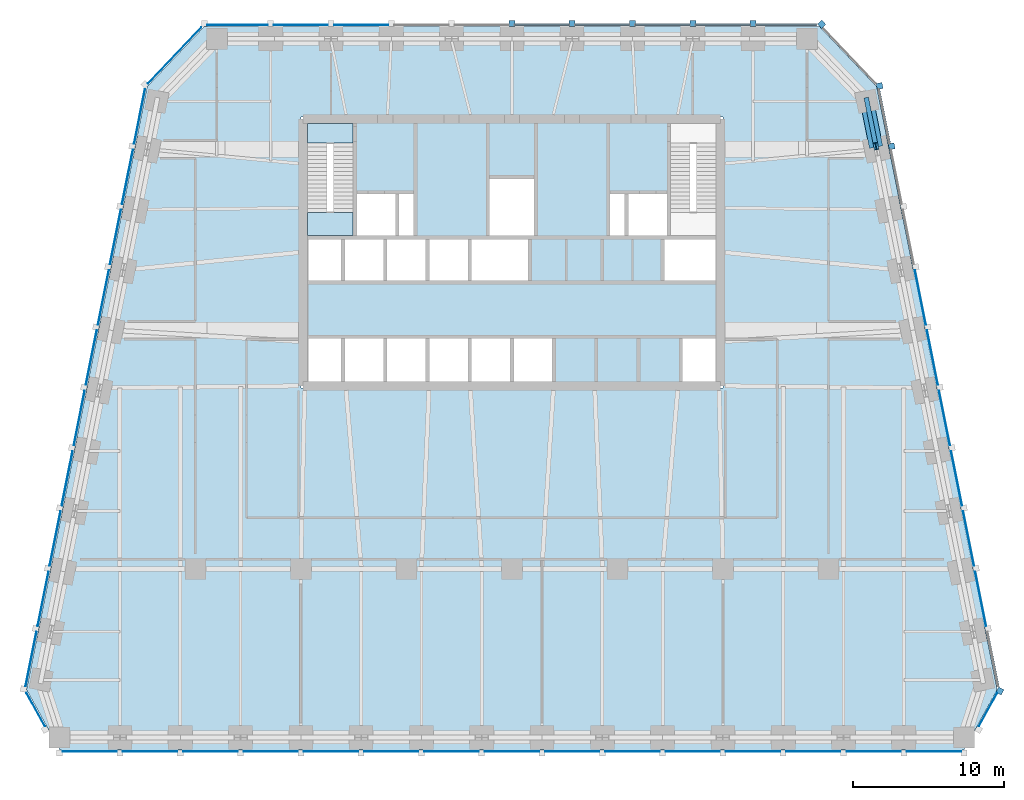
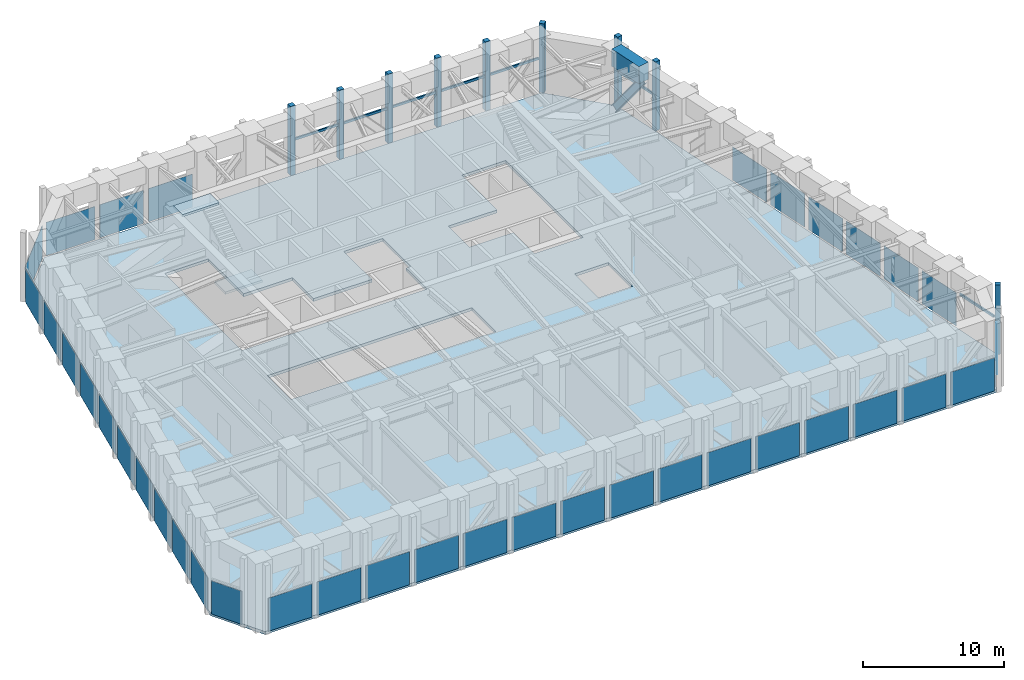
# One storey, part 5 of 9: 37 plates, 17 members, 3 slabs, 1 beam, 9 elements without a shape of their own.
"""IFC4 building model written with IfcOpenShell, lengths in metres."""

import ifcopenshell
import ifcopenshell.guid

model = None  # the IFC model being written
_history = None  # IfcOwnerHistory: only IFC2X3 demands one
_inside = {}  # id of a spatial element -> (the spatial element, [elements in it])
_under = {}  # id of a project, library or spatial element -> (it, [spatial elements below it])
_declared = {}  # id of a project -> (the project, [libraries it declares])
_typed = {}  # id of a type object -> (the type object, [elements of that type])
_made_of = {}  # id of a material, layer set ... -> (it, [elements and type objects made of it])


def new_model(schema):
    """Start an empty IFC model of exactly this schema.

    Asked for "IFC4X3", IfcOpenShell would pick the latest addendum, in which some entities
    have other attributes; the version numbers below select the first issue.
    IFC2X3 requires an IfcOwnerHistory on every rooted entity: one is made here for all.
    """
    global model, _history
    if schema == "IFC4X3":
        model = ifcopenshell.file(schema_version=(4, 3, 0, 0))
    else:
        model = ifcopenshell.file(schema=schema)
    _inside.clear()
    _under.clear()
    _declared.clear()
    _typed.clear()
    _made_of.clear()
    _history = None
    if model.schema == "IFC2X3":
        org = make("IfcOrganization", Name="unknown")
        user = make(
            "IfcPersonAndOrganization",
            ThePerson=make("IfcPerson", FamilyName="unknown"),
            TheOrganization=org,
        )
        app = make(
            "IfcApplication",
            ApplicationDeveloper=org,
            Version="unknown",
            ApplicationFullName="unknown",
            ApplicationIdentifier="unknown",
        )
        _history = make(
            "IfcOwnerHistory",
            OwningUser=user,
            OwningApplication=app,
            ChangeAction="ADDED",
            CreationDate=0,
        )
    return model


def make(cls, **values):
    """One entity of the class cls with the attributes given. An attribute that is None is left unset."""
    return model.create_entity(
        cls, **{name: value for name, value in values.items() if value is not None}
    )


def rooted(cls, **values):
    """An entity with a GlobalId (a new one), such as an element, a storey or a relation."""
    return make(cls, GlobalId=ifcopenshell.guid.new(), OwnerHistory=_history, **values)


def si_unit(unit_type, name, prefix=None):
    """IfcSIUnit, for example si_unit("LENGTHUNIT", "METRE", prefix="MILLI")."""
    return make("IfcSIUnit", UnitType=unit_type, Prefix=prefix, Name=name)


def assignment(units):
    """IfcUnitAssignment: the units of a project."""
    return None if units is None else make("IfcUnitAssignment", Units=units)


def point(xyz):
    """IfcCartesianPoint."""
    return None if xyz is None else make("IfcCartesianPoint", Coordinates=xyz)


def direction(xyz):
    """IfcDirection."""
    return None if xyz is None else make("IfcDirection", DirectionRatios=xyz)


def frame(location, z_axis=None, x_axis=None):
    """IfcAxis2Placement3D, a coordinate frame: its origin and axes. An axis left out is left unset."""
    return make(
        "IfcAxis2Placement3D",
        Location=point(location),
        Axis=direction(z_axis),
        RefDirection=direction(x_axis),
    )


def frame_2d(location, x_axis=None):
    """IfcAxis2Placement2D, a coordinate frame in the plane: its origin and x axis."""
    return make(
        "IfcAxis2Placement2D", Location=point(location), RefDirection=direction(x_axis)
    )


def origin():
    """The frame at (0, 0, 0) with its axes left unset."""
    return frame((0.0, 0.0, 0.0))


def origin_2d():
    """The frame at (0, 0) in the plane with its x axis left unset."""
    return frame_2d((0.0, 0.0))


def place(relative_to, where):
    """IfcLocalPlacement: puts the frame where relative to a parent placement (None: the world)."""
    return make(
        "IfcLocalPlacement", PlacementRelTo=relative_to, RelativePlacement=where
    )


def context(
    kind, dimensions, precision=None, world=None, true_north=None, identifier=None
):
    """IfcGeometricRepresentationContext, for example the 3D "Model" context."""
    return make(
        "IfcGeometricRepresentationContext",
        ContextIdentifier=identifier,
        ContextType=kind,
        CoordinateSpaceDimension=dimensions,
        Precision=precision,
        WorldCoordinateSystem=world,
        TrueNorth=true_north,
    )


def subcontext(parent, identifier, kind, view, scale=None):
    """IfcGeometricRepresentationSubContext, for example "Body" below "Model"."""
    return make(
        "IfcGeometricRepresentationSubContext",
        ContextIdentifier=identifier,
        ContextType=kind,
        ParentContext=parent,
        TargetScale=scale,
        TargetView=view,
    )


def project(units=None, contexts=None):
    """IfcProject with its units and contexts."""
    return rooted(
        "IfcProject",
        Name="project",
        RepresentationContexts=contexts,
        UnitsInContext=assignment(units),
    )


def spatial(cls, under=None, at=None, **own):
    """A site, building, storey or space (cls), placed at a placement, below another one or the project."""
    s = rooted(cls, ObjectPlacement=at, **own)
    if under is not None:
        _under.setdefault(under.id(), (under, []))[1].append(s)
    return s


def polyline(points):
    """IfcPolyline through the points."""
    return make("IfcPolyline", Points=[point(p) for p in points])


def profile(cls, at=None, kind="AREA", **sizes):
    """A parametric profile (cls). Its sizes go by their IFC names, for example OverallWidth=200.0."""
    return make(cls, ProfileType=kind, Position=at, **sizes)


def rectangle(**sizes):
    """IfcRectangleProfileDef."""
    return profile("IfcRectangleProfileDef", **sizes)


def i_section(**sizes):
    """IfcIShapeProfileDef."""
    return profile("IfcIShapeProfileDef", **sizes)


def outline(outer, holes=None, kind="AREA"):
    """IfcArbitraryClosedProfileDef: a profile drawn as a closed curve; with holes, ...WithVoids."""
    if holes is None:
        return make("IfcArbitraryClosedProfileDef", ProfileType=kind, OuterCurve=outer)
    return make(
        "IfcArbitraryProfileDefWithVoids",
        ProfileType=kind,
        OuterCurve=outer,
        InnerCurves=holes,
    )


def extrude(swept, where, along, depth):
    """IfcExtrudedAreaSolid: the profile swept, set in the frame where, extruded along a direction by depth."""
    return make(
        "IfcExtrudedAreaSolid",
        SweptArea=swept,
        Position=where,
        ExtrudedDirection=direction(along),
        Depth=depth,
    )


def shape(context_of_items, identifier, shape_type, items):
    """IfcShapeRepresentation: the items that make up one representation, for example the "Body"."""
    return make(
        "IfcShapeRepresentation",
        ContextOfItems=context_of_items,
        RepresentationIdentifier=identifier,
        RepresentationType=shape_type,
        Items=items,
    )


def material(Name=None, Category=None):
    """IfcMaterial."""
    return make("IfcMaterial", Name=Name, Category=Category)


def layer(
    of_material, thickness, ventilated=None, Name=None, Category=None, Priority=None
):
    """IfcMaterialLayer: one layer of a wall or slab, of a material (None: an air gap)."""
    return make(
        "IfcMaterialLayer",
        Material=of_material,
        LayerThickness=thickness,
        IsVentilated=ventilated,
        Name=Name,
        Category=Category,
        Priority=Priority,
    )


def layer_set(layers, Name=None):
    """IfcMaterialLayerSet."""
    return make("IfcMaterialLayerSet", MaterialLayers=layers, LayerSetName=Name)


def material_profile(
    of_material, cross_section, Name=None, Category=None, Priority=None
):
    """IfcMaterialProfile: a cross section and its material."""
    return make(
        "IfcMaterialProfile",
        Name=Name,
        Material=of_material,
        Profile=cross_section,
        Priority=Priority,
        Category=Category,
    )


def profile_set(profiles, Name=None, composite=None):
    """IfcMaterialProfileSet."""
    return make(
        "IfcMaterialProfileSet",
        Name=Name,
        MaterialProfiles=profiles,
        CompositeProfile=composite,
    )


def made_of(thing, what):
    """Note that an element or type object is made of a material, layer set ...; save() writes the relation."""
    if what is not None:
        _made_of.setdefault(what.id(), (what, []))[1].append(thing)
    return thing


def type_object(cls, material=None, **own):
    """A type object (cls), such as IfcWallType, which elements share."""
    return made_of(rooted(cls, **own), material)


def element(
    cls,
    number,
    at=None,
    inside=None,
    cuts=None,
    type_object=None,
    material=None,
    context=None,
    identifier="Body",
    shape_type=None,
    held_by="IfcProductDefinitionShape",
    body=None,
    shapes=None,
    **own,
):
    """One element of the class cls, such as IfcWall. Its Tag is "e" and its number.

    at: its placement. inside: the storey or other place that contains it. cuts: it is an
    opening in that element (IfcRelVoidsElement). A single representation is given by context,
    identifier, shape_type and body (its items); several are given by shapes. held_by: the class
    of the entity that holds the representations. save() writes the other relations.
    """
    e = rooted(cls, Tag="e%d" % number, ObjectPlacement=at, **own)
    if body is not None:
        shapes = [shape(context, identifier, shape_type, body)]
    if shapes is not None:
        e.Representation = make(held_by, Representations=shapes)
    if inside is not None:
        _inside.setdefault(inside.id(), (inside, []))[1].append(e)
    if cuts is not None:
        rooted(
            "IfcRelVoidsElement", RelatingBuildingElement=cuts, RelatedOpeningElement=e
        )
    if type_object is not None:
        _typed.setdefault(type_object.id(), (type_object, []))[1].append(e)
    return made_of(e, material)


def aggregate(whole, parts):
    """IfcRelAggregates: a whole, such as a stair, and the parts it consists of."""
    return rooted("IfcRelAggregates", RelatingObject=whole, RelatedObjects=parts)


def save(model, path):
    """Write the relations noted so far, then the file.

    IfcRelAggregates (storeys below a building ...), IfcRelContainedInSpatialStructure (elements
    in a storey), IfcRelDefinesByType, IfcRelAssociatesMaterial and IfcRelDeclares: one each for
    every whole, place, type object, material and project.
    """
    for whole, parts in _under.values():
        aggregate(whole, parts)
    for where, things in _inside.values():
        rooted(
            "IfcRelContainedInSpatialStructure",
            RelatedElements=things,
            RelatingStructure=where,
        )
    for kind, things in _typed.values():
        rooted("IfcRelDefinesByType", RelatedObjects=things, RelatingType=kind)
    for what, things in _made_of.values():
        rooted("IfcRelAssociatesMaterial", RelatedObjects=things, RelatingMaterial=what)
    for by, libraries in _declared.values():
        rooted("IfcRelDeclares", RelatingContext=by, RelatedDefinitions=libraries)
    model.write(path)


model = new_model("IFC4")

# Units and contexts
model_context = context("Model", 3, precision=1e-05, world=origin(), true_north=direction((0.0, 1.0)))
body_context = subcontext(model_context, "Body", "Model", "MODEL_VIEW")
ifc_project = project(units=[si_unit("LENGTHUNIT", "METRE"), si_unit("AREAUNIT", "SQUARE_METRE"), si_unit("VOLUMEUNIT", "CUBIC_METRE"), si_unit("PLANEANGLEUNIT", "RADIAN"), si_unit("MASSUNIT", "GRAM", prefix="KILO")], contexts=[model_context])

# Site, building, storey
site_placement = place(None, origin())
site = spatial("IfcSite", under=ifc_project, at=site_placement, CompositionType="ELEMENT")
building_placement = place(site_placement, origin())
building = spatial("IfcBuilding", under=site, at=building_placement, Name="Isbrekke Arena Tower", CompositionType="ELEMENT")
storey_placement = place(building_placement, frame((0.0, 0.0, 242.0)))
storey = spatial("IfcBuildingStorey", under=building, at=storey_placement, Name="L56", CompositionType="ELEMENT", Elevation=242.0)

# Member
ifc_material_1 = material(Name="Steel S355", Category="steel")
ifc_material_profile_1 = material_profile(ifc_material_1, i_section(OverallWidth=0.304931640625, OverallDepth=0.6201171875, WebThickness=0.02099609375, FlangeThickness=0.0400390625, FilletRadius=0.027099609375, at=origin_2d()), Name="HEM 600")
ifc_profile_set_1 = profile_set([ifc_material_profile_1], Name="Steel S355")
member_type_1 = type_object("IfcMemberType", Name="BT1 HEM 600", PredefinedType="BRACE", material=ifc_profile_set_1)
member_1_placement = place(storey_placement, frame((24.149658203125, 22.04443359375, 4.6220703125), z_axis=(-0.118343216485, 0.591764484557, -0.797376747798), x_axis=(-0.980583760369, -0.196100711116, 0.0)))
element("IfcMember", 1, at=member_1_placement, inside=storey, type_object=member_type_1, Name="BT1 belt truss diagonal E10 L56", PredefinedType="BRACE", context=body_context, shape_type="SweptSolid", body=[
    extrude(i_section(OverallWidth=0.304931640625, OverallDepth=0.6201171875, WebThickness=0.02099609375, FlangeThickness=0.0400390625, FilletRadius=0.027099609375, at=origin_2d()), origin(), (0.0, 0.0, 1.0), 5.0439453125),
])

# Curtain wall, member
ifc_material_2 = material(Name="Glazed aluminium curtain wall", Category="aluminium")
curtain_wall_type = type_object("IfcCurtainWallType", Name="CWR PLANT LOUVRE WALL", PredefinedType="USERDEFINED", material=ifc_material_2)
curtain_wall_1_placement = place(storey_placement, origin())
curtain_wall_1 = element("IfcCurtainWall", 2, at=curtain_wall_1_placement, inside=storey, type_object=curtain_wall_type, Name="CWR curtain wall L56-SE", ObjectType="PLANT LOUVRE WALL", PredefinedType="USERDEFINED")
ifc_material_3 = material(Name="Aluminium mullion, pale brick slip cladding", Category="masonry")
ifc_material_profile_2 = material_profile(ifc_material_3, rectangle(XDim=0.39990234375, YDim=0.39990234375, at=origin_2d()), Name="PIER 400X400")
ifc_profile_set_2 = profile_set([ifc_material_profile_2], Name="Aluminium mullion, pale brick slip cladding")
member_type_2 = type_object("IfcMemberType", Name="CWR-M PIER MULLION 400 x 400", PredefinedType="MULLION", material=ifc_profile_set_2)
member_2_placement = place(storey_placement, frame((32.375244140625, -14.096435546875, 0.0), z_axis=(0.0, 0.0, 1.0), x_axis=(0.481918749773, 0.876215908676, 0.0)))
member_2 = element("IfcMember", 3, at=member_2_placement, type_object=member_type_2, Name="CWR-M mullion 2", PredefinedType="MULLION", context=body_context, shape_type="SweptSolid", body=[
    extrude(rectangle(XDim=0.39990234375, YDim=0.39990234375, at=origin_2d()), origin(), (0.0, 0.0, 1.0), 6.0),
])

# Curtain wall, members
curtain_wall_2_placement = place(storey_placement, origin())
curtain_wall_2 = element("IfcCurtainWall", 4, at=curtain_wall_2_placement, inside=storey, type_object=curtain_wall_type, Name="CWR curtain wall L56-E", ObjectType="PLANT LOUVRE WALL", PredefinedType="USERDEFINED")
member_3_placement = place(storey_placement, frame((25.196044921875, 22.039306640625, 0.0), z_axis=(0.0, 0.0, 1.0), x_axis=(-0.196116135138, 0.980580675691, 0.0)))
member_3 = element("IfcMember", 5, at=member_3_placement, type_object=member_type_2, Name="CWR-M mullion 9", PredefinedType="MULLION", context=body_context, shape_type="SweptSolid", body=[
    extrude(rectangle(XDim=0.39990234375, YDim=0.39990234375, at=origin_2d()), origin(), (0.0, 0.0, 1.0), 6.0),
])
member_4_placement = place(storey_placement, frame((24.39599609375, 26.039306640625, 0.0), z_axis=(0.0, 0.0, 1.0), x_axis=(-0.196116135138, 0.980580675691, 0.0)))
member_4 = element("IfcMember", 6, at=member_4_placement, type_object=member_type_2, Name="CWR-M mullion 10", PredefinedType="MULLION", context=body_context, shape_type="SweptSolid", body=[
    extrude(rectangle(XDim=0.39990234375, YDim=0.39990234375, at=origin_2d()), origin(), (0.0, 0.0, 1.0), 6.0),
])

# Curtain wall, member
curtain_wall_3_placement = place(storey_placement, origin())
curtain_wall_3 = element("IfcCurtainWall", 7, at=curtain_wall_3_placement, inside=storey, type_object=curtain_wall_type, Name="CWR curtain wall L56-EN", ObjectType="PLANT LOUVRE WALL", PredefinedType="USERDEFINED")
member_5_placement = place(storey_placement, frame((20.544921875, 30.1376953125, 0.0), z_axis=(0.0, 0.0, 1.0), x_axis=(-0.68874946192, 0.72499943359, 0.0)))
member_5 = element("IfcMember", 8, at=member_5_placement, type_object=member_type_2, Name="CWR-M mullion 1", PredefinedType="MULLION", context=body_context, shape_type="SweptSolid", body=[
    extrude(rectangle(XDim=0.39990234375, YDim=0.39990234375, at=origin_2d()), origin(), (0.0, 0.0, 1.0), 6.0),
])
aggregate(curtain_wall_3, [member_5])

# Curtain wall, members
curtain_wall_4_placement = place(storey_placement, origin())
curtain_wall_4 = element("IfcCurtainWall", 9, at=curtain_wall_4_placement, inside=storey, type_object=curtain_wall_type, Name="CWR curtain wall L56-N", ObjectType="PLANT LOUVRE WALL", PredefinedType="USERDEFINED")
member_6_placement = place(storey_placement, frame((16.0, 30.199951171875, 0.0), z_axis=(0.0, 0.0, 1.0), x_axis=(-1.0, 0.0, 0.0)))
member_6 = element("IfcMember", 10, at=member_6_placement, type_object=member_type_2, Name="CWR-M mullion 1", PredefinedType="MULLION", context=body_context, shape_type="SweptSolid", body=[
    extrude(rectangle(XDim=0.39990234375, YDim=0.39990234375, at=origin_2d()), origin(), (0.0, 0.0, 1.0), 6.0),
])
member_7_placement = place(storey_placement, frame((12.0, 30.199951171875, 0.0), z_axis=(0.0, 0.0, 1.0), x_axis=(-1.0, 0.0, 0.0)))
member_7 = element("IfcMember", 11, at=member_7_placement, type_object=member_type_2, Name="CWR-M mullion 2", PredefinedType="MULLION", context=body_context, shape_type="SweptSolid", body=[
    extrude(rectangle(XDim=0.39990234375, YDim=0.39990234375, at=origin_2d()), origin(), (0.0, 0.0, 1.0), 6.0),
])
member_8_placement = place(storey_placement, frame((8.0, 30.199951171875, 0.0), z_axis=(0.0, 0.0, 1.0), x_axis=(-1.0, 0.0, 0.0)))
member_8 = element("IfcMember", 12, at=member_8_placement, type_object=member_type_2, Name="CWR-M mullion 3", PredefinedType="MULLION", context=body_context, shape_type="SweptSolid", body=[
    extrude(rectangle(XDim=0.39990234375, YDim=0.39990234375, at=origin_2d()), origin(), (0.0, 0.0, 1.0), 6.0),
])
member_9_placement = place(storey_placement, frame((4.0, 30.199951171875, 0.0), z_axis=(0.0, 0.0, 1.0), x_axis=(-1.0, 0.0, 0.0)))
member_9 = element("IfcMember", 13, at=member_9_placement, type_object=member_type_2, Name="CWR-M mullion 4", PredefinedType="MULLION", context=body_context, shape_type="SweptSolid", body=[
    extrude(rectangle(XDim=0.39990234375, YDim=0.39990234375, at=origin_2d()), origin(), (0.0, 0.0, 1.0), 6.0),
])
member_10_placement = place(storey_placement, frame((0.0, 30.199951171875, 0.0), z_axis=(0.0, 0.0, 1.0), x_axis=(-1.0, 0.0, 0.0)))
member_10 = element("IfcMember", 14, at=member_10_placement, type_object=member_type_2, Name="CWR-M mullion 5", PredefinedType="MULLION", context=body_context, shape_type="SweptSolid", body=[
    extrude(rectangle(XDim=0.39990234375, YDim=0.39990234375, at=origin_2d()), origin(), (0.0, 0.0, 1.0), 6.0),
])

# Member
ifc_material_4 = material(Name="Aluminium transom", Category="aluminium")
ifc_material_profile_3 = material_profile(ifc_material_4, rectangle(XDim=0.1201171875, YDim=0.199951171875, at=origin_2d()), Name="TRANSOM 120X200")
ifc_profile_set_3 = profile_set([ifc_material_profile_3], Name="Aluminium transom")
member_type_3 = type_object("IfcMemberType", Name="CWR-T TRANSOM 120 x 200", PredefinedType="USERDEFINED", material=ifc_profile_set_3)
member_11_placement = place(storey_placement, frame((32.2587890625, -13.7841796875, 3.0), z_axis=(-0.19609061241, 0.980585779891, 0.0), x_axis=(-0.980585779891, -0.19609061241, 0.0)))
member_11 = element("IfcMember", 15, at=member_11_placement, type_object=member_type_3, Name="CWR-T transom 1", ObjectType="TRANSOM", PredefinedType="USERDEFINED", context=body_context, shape_type="SweptSolid", body=[
    extrude(rectangle(XDim=0.1201171875, YDim=0.199951171875, at=origin_2d()), origin(), (0.0, 0.0, 1.0), 3.67919921875),
])

member_12_placement = place(storey_placement, frame((25.058837890625, 22.2158203125, 3.0), z_axis=(-0.19609061241, 0.980585779891, 0.0), x_axis=(-0.980585779891, -0.19609061241, 0.0)))
member_12 = element("IfcMember", 16, at=member_12_placement, type_object=member_type_3, Name="CWR-T transom 10", ObjectType="TRANSOM", PredefinedType="USERDEFINED", context=body_context, shape_type="SweptSolid", body=[
    extrude(rectangle(XDim=0.1201171875, YDim=0.199951171875, at=origin_2d()), origin(), (0.0, 0.0, 1.0), 3.67919921875),
])

member_13_placement = place(storey_placement, frame((20.199951171875, 30.10009765625, 3.0), z_axis=(-1.0, 0.0, 0.0), x_axis=(0.0, -1.0, 0.0)))
member_13 = element("IfcMember", 17, at=member_13_placement, type_object=member_type_3, Name="CWR-T transom 1", ObjectType="TRANSOM", PredefinedType="USERDEFINED", context=body_context, shape_type="SweptSolid", body=[
    extrude(rectangle(XDim=0.1201171875, YDim=0.199951171875, at=origin_2d()), origin(), (0.0, 0.0, 1.0), 4.0),
])

member_14_placement = place(storey_placement, frame((15.800048828125, 30.10009765625, 3.0), z_axis=(-1.0, 0.0, 0.0), x_axis=(0.0, -1.0, 0.0)))
member_14 = element("IfcMember", 18, at=member_14_placement, type_object=member_type_3, Name="CWR-T transom 2", ObjectType="TRANSOM", PredefinedType="USERDEFINED", context=body_context, shape_type="SweptSolid", body=[
    extrude(rectangle(XDim=0.1201171875, YDim=0.199951171875, at=origin_2d()), origin(), (0.0, 0.0, 1.0), 3.60009765625),
])

member_15_placement = place(storey_placement, frame((11.800048828125, 30.10009765625, 3.0), z_axis=(-1.0, 0.0, 0.0), x_axis=(0.0, -1.0, 0.0)))
member_15 = element("IfcMember", 19, at=member_15_placement, type_object=member_type_3, Name="CWR-T transom 3", ObjectType="TRANSOM", PredefinedType="USERDEFINED", context=body_context, shape_type="SweptSolid", body=[
    extrude(rectangle(XDim=0.1201171875, YDim=0.199951171875, at=origin_2d()), origin(), (0.0, 0.0, 1.0), 3.60009765625),
])

member_16_placement = place(storey_placement, frame((7.800048828125, 30.10009765625, 3.0), z_axis=(-1.0, 0.0, 0.0), x_axis=(0.0, -1.0, 0.0)))
member_16 = element("IfcMember", 20, at=member_16_placement, type_object=member_type_3, Name="CWR-T transom 4", ObjectType="TRANSOM", PredefinedType="USERDEFINED", context=body_context, shape_type="SweptSolid", body=[
    extrude(rectangle(XDim=0.1201171875, YDim=0.199951171875, at=origin_2d()), origin(), (0.0, 0.0, 1.0), 3.60009765625),
])

member_17_placement = place(storey_placement, frame((3.800048828125, 30.10009765625, 3.0), z_axis=(-1.0, 0.0, 0.0), x_axis=(0.0, -1.0, 0.0)))
member_17 = element("IfcMember", 21, at=member_17_placement, type_object=member_type_3, Name="CWR-T transom 5", ObjectType="TRANSOM", PredefinedType="USERDEFINED", context=body_context, shape_type="SweptSolid", body=[
    extrude(rectangle(XDim=0.1201171875, YDim=0.199951171875, at=origin_2d()), origin(), (0.0, 0.0, 1.0), 3.60009765625),
])

# Beam
ifc_material_5 = material(Name="Concrete B65 (C65/80)", Category="concrete")
ifc_material_profile_4 = material_profile(ifc_material_5, rectangle(XDim=0.89990234375, YDim=1.5, at=origin_2d()), Name="RC 900x1500")
ifc_profile_set_4 = profile_set([ifc_material_profile_4], Name="Concrete B65 (C65/80)")
beam_type = type_object("IfcBeamType", Name="SB3 RC 900 x 1500", PredefinedType="SPANDREL", material=ifc_profile_set_4)
beam_placement = place(storey_placement, frame((24.16162109375, 21.9853515625, 5.25), z_axis=(-0.196116135138, 0.980580675691, 0.0), x_axis=(-0.980580675691, -0.196116135138, 0.0)))
element("IfcBeam", 22, at=beam_placement, inside=storey, type_object=beam_type, Name="SB3 spandrel E10-E11 L56", PredefinedType="SPANDREL", context=body_context, shape_type="SweptSolid", body=[
    extrude(rectangle(XDim=0.89990234375, YDim=1.5, at=origin_2d()), origin(), (0.0, 0.0, 1.0), 2.9541015625),
])

# Curtain wall, plates
curtain_wall_5_placement = place(storey_placement, origin())
curtain_wall_5 = element("IfcCurtainWall", 23, at=curtain_wall_5_placement, inside=storey, type_object=curtain_wall_type, Name="CWR curtain wall L56-S", ObjectType="PLANT LOUVRE WALL", PredefinedType="USERDEFINED")
ifc_material_6 = material(Name="Aluminium louvre", Category="aluminium")
ifc_layer_1 = layer(ifc_material_6, 0.031982421875)
ifc_layer_set_1 = layer_set([ifc_layer_1], Name="CWR-P LOUVRE PANEL")
plate_type = type_object("IfcPlateType", Name="CWR-P LOUVRE PANEL", PredefinedType="CURTAIN_PANEL", material=ifc_layer_set_1)
plate_1_placement = place(storey_placement, frame((-28.0, -18.10009765625, 0.02001953125), z_axis=(0.0, 0.0, 1.0), x_axis=(1.0, 0.0, 0.0)))
plate_1 = element("IfcPlate", 24, at=plate_1_placement, type_object=plate_type, Name="CWR-P panel 1", PredefinedType="CURTAIN_PANEL", context=body_context, shape_type="SweptSolid", body=[
    extrude(rectangle(XDim=3.60009765625, YDim=0.031982421875, at=origin_2d()), origin(), (0.0, 0.0, 1.0), 2.8798828125),
])
plate_2_placement = place(storey_placement, frame((-24.0, -18.10009765625, 0.02001953125), z_axis=(0.0, 0.0, 1.0), x_axis=(1.0, 0.0, 0.0)))
plate_2 = element("IfcPlate", 25, at=plate_2_placement, type_object=plate_type, Name="CWR-P panel 2", PredefinedType="CURTAIN_PANEL", context=body_context, shape_type="SweptSolid", body=[
    extrude(rectangle(XDim=3.60009765625, YDim=0.031982421875, at=origin_2d()), origin(), (0.0, 0.0, 1.0), 2.8798828125),
])
plate_3_placement = place(storey_placement, frame((-20.0, -18.10009765625, 0.02001953125), z_axis=(0.0, 0.0, 1.0), x_axis=(1.0, 0.0, 0.0)))
plate_3 = element("IfcPlate", 26, at=plate_3_placement, type_object=plate_type, Name="CWR-P panel 3", PredefinedType="CURTAIN_PANEL", context=body_context, shape_type="SweptSolid", body=[
    extrude(rectangle(XDim=3.60009765625, YDim=0.031982421875, at=origin_2d()), origin(), (0.0, 0.0, 1.0), 2.8798828125),
])
plate_4_placement = place(storey_placement, frame((-16.0, -18.10009765625, 0.02001953125), z_axis=(0.0, 0.0, 1.0), x_axis=(1.0, 0.0, 0.0)))
plate_4 = element("IfcPlate", 27, at=plate_4_placement, type_object=plate_type, Name="CWR-P panel 4", PredefinedType="CURTAIN_PANEL", context=body_context, shape_type="SweptSolid", body=[
    extrude(rectangle(XDim=3.60009765625, YDim=0.031982421875, at=origin_2d()), origin(), (0.0, 0.0, 1.0), 2.8798828125),
])
plate_5_placement = place(storey_placement, frame((-12.0, -18.10009765625, 0.02001953125), z_axis=(0.0, 0.0, 1.0), x_axis=(1.0, 0.0, 0.0)))
plate_5 = element("IfcPlate", 28, at=plate_5_placement, type_object=plate_type, Name="CWR-P panel 5", PredefinedType="CURTAIN_PANEL", context=body_context, shape_type="SweptSolid", body=[
    extrude(rectangle(XDim=3.60009765625, YDim=0.031982421875, at=origin_2d()), origin(), (0.0, 0.0, 1.0), 2.8798828125),
])
plate_6_placement = place(storey_placement, frame((-8.0, -18.10009765625, 0.02001953125), z_axis=(0.0, 0.0, 1.0), x_axis=(1.0, 0.0, 0.0)))
plate_6 = element("IfcPlate", 29, at=plate_6_placement, type_object=plate_type, Name="CWR-P panel 6", PredefinedType="CURTAIN_PANEL", context=body_context, shape_type="SweptSolid", body=[
    extrude(rectangle(XDim=3.60009765625, YDim=0.031982421875, at=origin_2d()), origin(), (0.0, 0.0, 1.0), 2.8798828125),
])
plate_7_placement = place(storey_placement, frame((-4.0, -18.10009765625, 0.02001953125), z_axis=(0.0, 0.0, 1.0), x_axis=(1.0, 0.0, 0.0)))
plate_7 = element("IfcPlate", 30, at=plate_7_placement, type_object=plate_type, Name="CWR-P panel 7", PredefinedType="CURTAIN_PANEL", context=body_context, shape_type="SweptSolid", body=[
    extrude(rectangle(XDim=3.60009765625, YDim=0.031982421875, at=origin_2d()), origin(), (0.0, 0.0, 1.0), 2.8798828125),
])
plate_8_placement = place(storey_placement, frame((0.0, -18.10009765625, 0.02001953125), z_axis=(0.0, 0.0, 1.0), x_axis=(1.0, 0.0, 0.0)))
plate_8 = element("IfcPlate", 31, at=plate_8_placement, type_object=plate_type, Name="CWR-P panel 8", PredefinedType="CURTAIN_PANEL", context=body_context, shape_type="SweptSolid", body=[
    extrude(rectangle(XDim=3.60009765625, YDim=0.031982421875, at=origin_2d()), origin(), (0.0, 0.0, 1.0), 2.8798828125),
])
plate_9_placement = place(storey_placement, frame((4.0, -18.10009765625, 0.02001953125), z_axis=(0.0, 0.0, 1.0), x_axis=(1.0, 0.0, 0.0)))
plate_9 = element("IfcPlate", 32, at=plate_9_placement, type_object=plate_type, Name="CWR-P panel 9", PredefinedType="CURTAIN_PANEL", context=body_context, shape_type="SweptSolid", body=[
    extrude(rectangle(XDim=3.60009765625, YDim=0.031982421875, at=origin_2d()), origin(), (0.0, 0.0, 1.0), 2.8798828125),
])
plate_10_placement = place(storey_placement, frame((8.0, -18.10009765625, 0.02001953125), z_axis=(0.0, 0.0, 1.0), x_axis=(1.0, 0.0, 0.0)))
plate_10 = element("IfcPlate", 33, at=plate_10_placement, type_object=plate_type, Name="CWR-P panel 10", PredefinedType="CURTAIN_PANEL", context=body_context, shape_type="SweptSolid", body=[
    extrude(rectangle(XDim=3.60009765625, YDim=0.031982421875, at=origin_2d()), origin(), (0.0, 0.0, 1.0), 2.8798828125),
])
plate_11_placement = place(storey_placement, frame((12.0, -18.10009765625, 0.02001953125), z_axis=(0.0, 0.0, 1.0), x_axis=(1.0, 0.0, 0.0)))
plate_11 = element("IfcPlate", 34, at=plate_11_placement, type_object=plate_type, Name="CWR-P panel 11", PredefinedType="CURTAIN_PANEL", context=body_context, shape_type="SweptSolid", body=[
    extrude(rectangle(XDim=3.60009765625, YDim=0.031982421875, at=origin_2d()), origin(), (0.0, 0.0, 1.0), 2.8798828125),
])
plate_12_placement = place(storey_placement, frame((16.0, -18.10009765625, 0.02001953125), z_axis=(0.0, 0.0, 1.0), x_axis=(1.0, 0.0, 0.0)))
plate_12 = element("IfcPlate", 35, at=plate_12_placement, type_object=plate_type, Name="CWR-P panel 12", PredefinedType="CURTAIN_PANEL", context=body_context, shape_type="SweptSolid", body=[
    extrude(rectangle(XDim=3.60009765625, YDim=0.031982421875, at=origin_2d()), origin(), (0.0, 0.0, 1.0), 2.8798828125),
])
plate_13_placement = place(storey_placement, frame((20.0, -18.10009765625, 0.02001953125), z_axis=(0.0, 0.0, 1.0), x_axis=(1.0, 0.0, 0.0)))
plate_13 = element("IfcPlate", 36, at=plate_13_placement, type_object=plate_type, Name="CWR-P panel 13", PredefinedType="CURTAIN_PANEL", context=body_context, shape_type="SweptSolid", body=[
    extrude(rectangle(XDim=3.60009765625, YDim=0.031982421875, at=origin_2d()), origin(), (0.0, 0.0, 1.0), 2.8798828125),
])
plate_14_placement = place(storey_placement, frame((24.0, -18.10009765625, 0.02001953125), z_axis=(0.0, 0.0, 1.0), x_axis=(1.0, 0.0, 0.0)))
plate_14 = element("IfcPlate", 37, at=plate_14_placement, type_object=plate_type, Name="CWR-P panel 14", PredefinedType="CURTAIN_PANEL", context=body_context, shape_type="SweptSolid", body=[
    extrude(rectangle(XDim=3.60009765625, YDim=0.031982421875, at=origin_2d()), origin(), (0.0, 0.0, 1.0), 2.8798828125),
])
plate_15_placement = place(storey_placement, frame((28.0, -18.10009765625, 0.02001953125), z_axis=(0.0, 0.0, 1.0), x_axis=(1.0, 0.0, 0.0)))
plate_15 = element("IfcPlate", 38, at=plate_15_placement, type_object=plate_type, Name="CWR-P panel 15", PredefinedType="CURTAIN_PANEL", context=body_context, shape_type="SweptSolid", body=[
    extrude(rectangle(XDim=3.60009765625, YDim=0.031982421875, at=origin_2d()), origin(), (0.0, 0.0, 1.0), 2.8798828125),
])
aggregate(curtain_wall_5, [plate_1, plate_2, plate_3, plate_4, plate_5, plate_6, plate_7, plate_8, plate_9, plate_10, plate_11, plate_12, plate_13, plate_14, plate_15])

# Plate
plate_16_placement = place(storey_placement, frame((31.584716796875, -15.326171875, 0.02001953125), z_axis=(0.0, 0.0, 1.0), x_axis=(0.481918749773, 0.876215908676, 0.0)))
plate_16 = element("IfcPlate", 39, at=plate_16_placement, type_object=plate_type, Name="CWR-P panel 1", PredefinedType="CURTAIN_PANEL", context=body_context, shape_type="SweptSolid", body=[
    extrude(rectangle(XDim=2.517333984375, YDim=0.031982421875, at=origin_2d()), origin(), (0.0, 0.0, 1.0), 2.8798828125),
])

aggregate(curtain_wall_1, [member_2, plate_16])

plate_17_placement = place(storey_placement, frame((31.09814453125, -7.98046875, 0.02001953125), z_axis=(0.0, 0.0, 1.0), x_axis=(-0.196116135138, 0.980580675691, 0.0)))
plate_17 = element("IfcPlate", 40, at=plate_17_placement, type_object=plate_type, Name="CWR-P panel 2", PredefinedType="CURTAIN_PANEL", context=body_context, shape_type="SweptSolid", body=[
    extrude(rectangle(XDim=3.67919921875, YDim=0.031982421875, at=origin_2d()), origin(), (0.0, 0.0, 1.0), 2.8798828125),
])

plate_18_placement = place(storey_placement, frame((30.298095703125, -3.98046875, 0.02001953125), z_axis=(0.0, 0.0, 1.0), x_axis=(-0.196116135138, 0.980580675691, 0.0)))
plate_18 = element("IfcPlate", 41, at=plate_18_placement, type_object=plate_type, Name="CWR-P panel 3", PredefinedType="CURTAIN_PANEL", context=body_context, shape_type="SweptSolid", body=[
    extrude(rectangle(XDim=3.67919921875, YDim=0.031982421875, at=origin_2d()), origin(), (0.0, 0.0, 1.0), 2.8798828125),
])

plate_19_placement = place(storey_placement, frame((29.498046875, 0.01953125, 0.02001953125), z_axis=(0.0, 0.0, 1.0), x_axis=(-0.196116135138, 0.980580675691, 0.0)))
plate_19 = element("IfcPlate", 42, at=plate_19_placement, type_object=plate_type, Name="CWR-P panel 4", PredefinedType="CURTAIN_PANEL", context=body_context, shape_type="SweptSolid", body=[
    extrude(rectangle(XDim=3.67919921875, YDim=0.031982421875, at=origin_2d()), origin(), (0.0, 0.0, 1.0), 2.8798828125),
])

plate_20_placement = place(storey_placement, frame((28.697998046875, 4.01953125, 0.02001953125), z_axis=(0.0, 0.0, 1.0), x_axis=(-0.196116135138, 0.980580675691, 0.0)))
plate_20 = element("IfcPlate", 43, at=plate_20_placement, type_object=plate_type, Name="CWR-P panel 5", PredefinedType="CURTAIN_PANEL", context=body_context, shape_type="SweptSolid", body=[
    extrude(rectangle(XDim=3.67919921875, YDim=0.031982421875, at=origin_2d()), origin(), (0.0, 0.0, 1.0), 2.8798828125),
])

plate_21_placement = place(storey_placement, frame((27.89794921875, 8.01953125, 0.02001953125), z_axis=(0.0, 0.0, 1.0), x_axis=(-0.196116135138, 0.980580675691, 0.0)))
plate_21 = element("IfcPlate", 44, at=plate_21_placement, type_object=plate_type, Name="CWR-P panel 6", PredefinedType="CURTAIN_PANEL", context=body_context, shape_type="SweptSolid", body=[
    extrude(rectangle(XDim=3.67919921875, YDim=0.031982421875, at=origin_2d()), origin(), (0.0, 0.0, 1.0), 2.8798828125),
])

plate_22_placement = place(storey_placement, frame((27.09814453125, 12.01953125, 0.02001953125), z_axis=(0.0, 0.0, 1.0), x_axis=(-0.196116135138, 0.980580675691, 0.0)))
plate_22 = element("IfcPlate", 45, at=plate_22_placement, type_object=plate_type, Name="CWR-P panel 7", PredefinedType="CURTAIN_PANEL", context=body_context, shape_type="SweptSolid", body=[
    extrude(rectangle(XDim=3.67919921875, YDim=0.031982421875, at=origin_2d()), origin(), (0.0, 0.0, 1.0), 2.8798828125),
])

aggregate(curtain_wall_2, [member_3, member_4, member_11, plate_17, plate_18, plate_19, plate_20, plate_21, plate_22, member_12])

plate_23_placement = place(storey_placement, frame((-10.0, 30.10009765625, 0.02001953125), z_axis=(0.0, 0.0, 1.0), x_axis=(-1.0, 0.0, 0.0)))
plate_23 = element("IfcPlate", 46, at=plate_23_placement, type_object=plate_type, Name="CWR-P panel 8", PredefinedType="CURTAIN_PANEL", context=body_context, shape_type="SweptSolid", body=[
    extrude(rectangle(XDim=3.60009765625, YDim=0.031982421875, at=origin_2d()), origin(), (0.0, 0.0, 1.0), 2.8798828125),
])

plate_24_placement = place(storey_placement, frame((-14.0, 30.10009765625, 0.02001953125), z_axis=(0.0, 0.0, 1.0), x_axis=(-1.0, 0.0, 0.0)))
plate_24 = element("IfcPlate", 47, at=plate_24_placement, type_object=plate_type, Name="CWR-P panel 9", PredefinedType="CURTAIN_PANEL", context=body_context, shape_type="SweptSolid", body=[
    extrude(rectangle(XDim=3.60009765625, YDim=0.031982421875, at=origin_2d()), origin(), (0.0, 0.0, 1.0), 2.8798828125),
])

plate_25_placement = place(storey_placement, frame((-18.199951171875, 30.10009765625, 0.02001953125), z_axis=(0.0, 0.0, 1.0), x_axis=(-1.0, 0.0, 0.0)))
plate_25 = element("IfcPlate", 48, at=plate_25_placement, type_object=plate_type, Name="CWR-P panel 10", PredefinedType="CURTAIN_PANEL", context=body_context, shape_type="SweptSolid", body=[
    extrude(rectangle(XDim=4.0, YDim=0.031982421875, at=origin_2d()), origin(), (0.0, 0.0, 1.0), 2.8798828125),
])

aggregate(curtain_wall_4, [member_6, member_7, member_8, member_9, member_10, member_13, member_14, member_15, member_16, member_17, plate_23, plate_24, plate_25])

# Curtain wall, plate
curtain_wall_6_placement = place(storey_placement, origin())
curtain_wall_6 = element("IfcCurtainWall", 49, at=curtain_wall_6_placement, inside=storey, type_object=curtain_wall_type, Name="CWR curtain wall L56-NW", ObjectType="PLANT LOUVRE WALL", PredefinedType="USERDEFINED")
plate_26_placement = place(storey_placement, frame((-22.37255859375, 28.06884765625, 0.02001953125), z_axis=(0.0, 0.0, 1.0), x_axis=(-0.68874946192, -0.72499943359, 0.0)))
plate_26 = element("IfcPlate", 50, at=plate_26_placement, type_object=plate_type, Name="CWR-P panel 1", PredefinedType="CURTAIN_PANEL", context=body_context, shape_type="SweptSolid", body=[
    extrude(rectangle(XDim=5.1171875, YDim=0.031982421875, at=origin_2d()), origin(), (0.0, 0.0, 1.0), 2.8798828125),
])
aggregate(curtain_wall_6, [plate_26])

# Curtain wall, plates
curtain_wall_7_placement = place(storey_placement, origin())
curtain_wall_7 = element("IfcCurtainWall", 51, at=curtain_wall_7_placement, inside=storey, type_object=curtain_wall_type, Name="CWR curtain wall L56-W", ObjectType="PLANT LOUVRE WALL", PredefinedType="USERDEFINED")
plate_27_placement = place(storey_placement, frame((-24.697998046875, 24.01953125, 0.02001953125), z_axis=(0.0, 0.0, 1.0), x_axis=(-0.196116135138, -0.980580675691, 0.0)))
plate_27 = element("IfcPlate", 52, at=plate_27_placement, type_object=plate_type, Name="CWR-P panel 1", PredefinedType="CURTAIN_PANEL", context=body_context, shape_type="SweptSolid", body=[
    extrude(rectangle(XDim=3.67919921875, YDim=0.031982421875, at=origin_2d()), origin(), (0.0, 0.0, 1.0), 2.8798828125),
])
plate_28_placement = place(storey_placement, frame((-25.498046875, 20.01953125, 0.02001953125), z_axis=(0.0, 0.0, 1.0), x_axis=(-0.196116135138, -0.980580675691, 0.0)))
plate_28 = element("IfcPlate", 53, at=plate_28_placement, type_object=plate_type, Name="CWR-P panel 2", PredefinedType="CURTAIN_PANEL", context=body_context, shape_type="SweptSolid", body=[
    extrude(rectangle(XDim=3.67919921875, YDim=0.031982421875, at=origin_2d()), origin(), (0.0, 0.0, 1.0), 2.8798828125),
])
plate_29_placement = place(storey_placement, frame((-26.298095703125, 16.01953125, 0.02001953125), z_axis=(0.0, 0.0, 1.0), x_axis=(-0.196116135138, -0.980580675691, 0.0)))
plate_29 = element("IfcPlate", 54, at=plate_29_placement, type_object=plate_type, Name="CWR-P panel 3", PredefinedType="CURTAIN_PANEL", context=body_context, shape_type="SweptSolid", body=[
    extrude(rectangle(XDim=3.67919921875, YDim=0.031982421875, at=origin_2d()), origin(), (0.0, 0.0, 1.0), 2.8798828125),
])
plate_30_placement = place(storey_placement, frame((-27.09814453125, 12.01953125, 0.02001953125), z_axis=(0.0, 0.0, 1.0), x_axis=(-0.196116135138, -0.980580675691, 0.0)))
plate_30 = element("IfcPlate", 55, at=plate_30_placement, type_object=plate_type, Name="CWR-P panel 4", PredefinedType="CURTAIN_PANEL", context=body_context, shape_type="SweptSolid", body=[
    extrude(rectangle(XDim=3.67919921875, YDim=0.031982421875, at=origin_2d()), origin(), (0.0, 0.0, 1.0), 2.8798828125),
])
plate_31_placement = place(storey_placement, frame((-27.89794921875, 8.01953125, 0.02001953125), z_axis=(0.0, 0.0, 1.0), x_axis=(-0.196116135138, -0.980580675691, 0.0)))
plate_31 = element("IfcPlate", 56, at=plate_31_placement, type_object=plate_type, Name="CWR-P panel 5", PredefinedType="CURTAIN_PANEL", context=body_context, shape_type="SweptSolid", body=[
    extrude(rectangle(XDim=3.67919921875, YDim=0.031982421875, at=origin_2d()), origin(), (0.0, 0.0, 1.0), 2.8798828125),
])
plate_32_placement = place(storey_placement, frame((-28.697998046875, 4.01953125, 0.02001953125), z_axis=(0.0, 0.0, 1.0), x_axis=(-0.196116135138, -0.980580675691, 0.0)))
plate_32 = element("IfcPlate", 57, at=plate_32_placement, type_object=plate_type, Name="CWR-P panel 6", PredefinedType="CURTAIN_PANEL", context=body_context, shape_type="SweptSolid", body=[
    extrude(rectangle(XDim=3.67919921875, YDim=0.031982421875, at=origin_2d()), origin(), (0.0, 0.0, 1.0), 2.8798828125),
])
plate_33_placement = place(storey_placement, frame((-29.498046875, 0.01953125, 0.02001953125), z_axis=(0.0, 0.0, 1.0), x_axis=(-0.196116135138, -0.980580675691, 0.0)))
plate_33 = element("IfcPlate", 58, at=plate_33_placement, type_object=plate_type, Name="CWR-P panel 7", PredefinedType="CURTAIN_PANEL", context=body_context, shape_type="SweptSolid", body=[
    extrude(rectangle(XDim=3.67919921875, YDim=0.031982421875, at=origin_2d()), origin(), (0.0, 0.0, 1.0), 2.8798828125),
])
plate_34_placement = place(storey_placement, frame((-30.298095703125, -3.98046875, 0.02001953125), z_axis=(0.0, 0.0, 1.0), x_axis=(-0.196116135138, -0.980580675691, 0.0)))
plate_34 = element("IfcPlate", 59, at=plate_34_placement, type_object=plate_type, Name="CWR-P panel 8", PredefinedType="CURTAIN_PANEL", context=body_context, shape_type="SweptSolid", body=[
    extrude(rectangle(XDim=3.67919921875, YDim=0.031982421875, at=origin_2d()), origin(), (0.0, 0.0, 1.0), 2.8798828125),
])
plate_35_placement = place(storey_placement, frame((-31.09814453125, -7.98046875, 0.02001953125), z_axis=(0.0, 0.0, 1.0), x_axis=(-0.196116135138, -0.980580675691, 0.0)))
plate_35 = element("IfcPlate", 60, at=plate_35_placement, type_object=plate_type, Name="CWR-P panel 9", PredefinedType="CURTAIN_PANEL", context=body_context, shape_type="SweptSolid", body=[
    extrude(rectangle(XDim=3.67919921875, YDim=0.031982421875, at=origin_2d()), origin(), (0.0, 0.0, 1.0), 2.8798828125),
])
plate_36_placement = place(storey_placement, frame((-31.89794921875, -11.98046875, 0.02001953125), z_axis=(0.0, 0.0, 1.0), x_axis=(-0.196116135138, -0.980580675691, 0.0)))
plate_36 = element("IfcPlate", 61, at=plate_36_placement, type_object=plate_type, Name="CWR-P panel 10", PredefinedType="CURTAIN_PANEL", context=body_context, shape_type="SweptSolid", body=[
    extrude(rectangle(XDim=3.67919921875, YDim=0.031982421875, at=origin_2d()), origin(), (0.0, 0.0, 1.0), 2.8798828125),
])
aggregate(curtain_wall_7, [plate_27, plate_28, plate_29, plate_30, plate_31, plate_32, plate_33, plate_34, plate_35, plate_36])

# Curtain wall, plate
curtain_wall_8_placement = place(storey_placement, origin())
curtain_wall_8 = element("IfcCurtainWall", 62, at=curtain_wall_8_placement, inside=storey, type_object=curtain_wall_type, Name="CWR curtain wall L56-WS", ObjectType="PLANT LOUVRE WALL", PredefinedType="USERDEFINED")
plate_37_placement = place(storey_placement, frame((-31.584228515625, -15.326904296875, 0.02001953125), z_axis=(0.0, 0.0, 1.0), x_axis=(0.481918749773, -0.876215908676, 0.0)))
plate_37 = element("IfcPlate", 63, at=plate_37_placement, type_object=plate_type, Name="CWR-P panel 1", PredefinedType="CURTAIN_PANEL", context=body_context, shape_type="SweptSolid", body=[
    extrude(rectangle(XDim=2.518798828125, YDim=0.031982421875, at=origin_2d()), origin(), (0.0, 0.0, 1.0), 2.8798828125),
])
aggregate(curtain_wall_8, [plate_37])

# Slab
ifc_material_7 = material(Name="Concrete B35 (C35/45)", Category="concrete")
ifc_layer_2 = layer(ifc_material_7, 0.25)
ifc_layer_set_2 = layer_set([ifc_layer_2], Name="FS2 PLANT FLOOR 250")
slab_type_1 = type_object("IfcSlabType", Name="FS2 PLANT FLOOR 250", PredefinedType="FLOOR", material=ifc_layer_set_2)
slab_1_placement = place(storey_placement, frame((0.0, 0.0, -0.25)))
element("IfcSlab", 64, at=slab_1_placement, inside=storey, type_object=slab_type_1, Name="FS2 floor slab L56", PredefinedType="FLOOR", context=body_context, shape_type="SweptSolid", body=[
    extrude(outline(polyline([(-30.0, -18.0), (30.0, -18.0), (32.199951171875, -14.0), (24.199951171875, 26.0), (20.39990234375, 30.0), (-20.39990234375, 30.0), (-24.199951171875, 26.0), (-32.199951171875, -14.0), (-30.0, -18.0)]), holes=[polyline([(2.800048828125, 9.39990234375), (2.800048828125, 6.0), (-14.0, 6.0), (-14.0, 9.39990234375), (2.800048828125, 9.39990234375)]), polyline([(11.199951171875, 6.0), (11.199951171875, 9.39990234375), (14.0, 9.39990234375), (14.0, 6.0), (11.199951171875, 6.0)]), polyline([(-14.0, 13.0), (-14.0, 24.0), (-10.39990234375, 24.0), (-10.39990234375, 19.0), (-6.39990234375, 19.0), (-6.39990234375, 16.0), (-1.60009765625, 16.0), (-1.60009765625, 20.0), (1.60009765625, 20.0), (1.60009765625, 16.0), (1.199951171875, 16.0), (1.199951171875, 13.0), (-14.0, 13.0)]), polyline([(10.0, 13.0), (10.0, 16.0), (6.39990234375, 16.0), (6.39990234375, 19.0), (10.39990234375, 19.0), (10.39990234375, 24.0), (14.0, 24.0), (14.0, 13.0), (10.0, 13.0)])]), origin(), (0.0, 0.0, 1.0), 0.25),
])

# Stair, slabs
ifc_material_8 = material(Name="Concrete B45 (C45/55) precast", Category="concrete")
stair_type = type_object("IfcStairType", Name="ST60 STAIR 1300 WIDE, 36 RISERS 167", PredefinedType="HALF_TURN_STAIR", material=ifc_material_8)
stair_placement = place(storey_placement, origin())
stair = element("IfcStair", 65, at=stair_placement, inside=storey, type_object=stair_type, Name="ST1 stair L56", PredefinedType="HALF_TURN_STAIR")
ifc_material_9 = material(Name="Concrete B35 (C35/45)", Category="concrete")
ifc_layer_3 = layer(ifc_material_9, 0.199951171875)
ifc_layer_set_3 = layer_set([ifc_layer_3], Name="SL1 STAIR LANDING 200")
slab_type_2 = type_object("IfcSlabType", Name="SL1 STAIR LANDING 200", PredefinedType="LANDING", material=ifc_layer_set_3)
slab_2_placement = place(storey_placement, frame((0.0, 0.0, 2.800048828125)))
slab_2 = element("IfcSlab", 66, at=slab_2_placement, type_object=slab_type_2, Name="ST1 landing 1", PredefinedType="LANDING", context=body_context, shape_type="SweptSolid", body=[
    extrude(outline(polyline([(-13.550048828125, 16.125), (-10.52490234375, 16.125), (-10.52490234375, 17.659912109375), (-13.550048828125, 17.659912109375), (-13.550048828125, 16.125)])), origin(), (0.0, 0.0, 1.0), 0.199951171875),
])
slab_3_placement = place(storey_placement, frame((0.0, 0.0, 5.800048828125)))
slab_3 = element("IfcSlab", 67, at=slab_3_placement, type_object=slab_type_2, Name="ST1 landing 2", PredefinedType="LANDING", context=body_context, shape_type="SweptSolid", body=[
    extrude(outline(polyline([(-13.550048828125, 22.25), (-10.52490234375, 22.25), (-10.52490234375, 23.550048828125), (-13.550048828125, 23.550048828125), (-13.550048828125, 22.25)])), origin(), (0.0, 0.0, 1.0), 0.199951171875),
])
aggregate(stair, [slab_2, slab_3])

save(model, "model.ifc")
